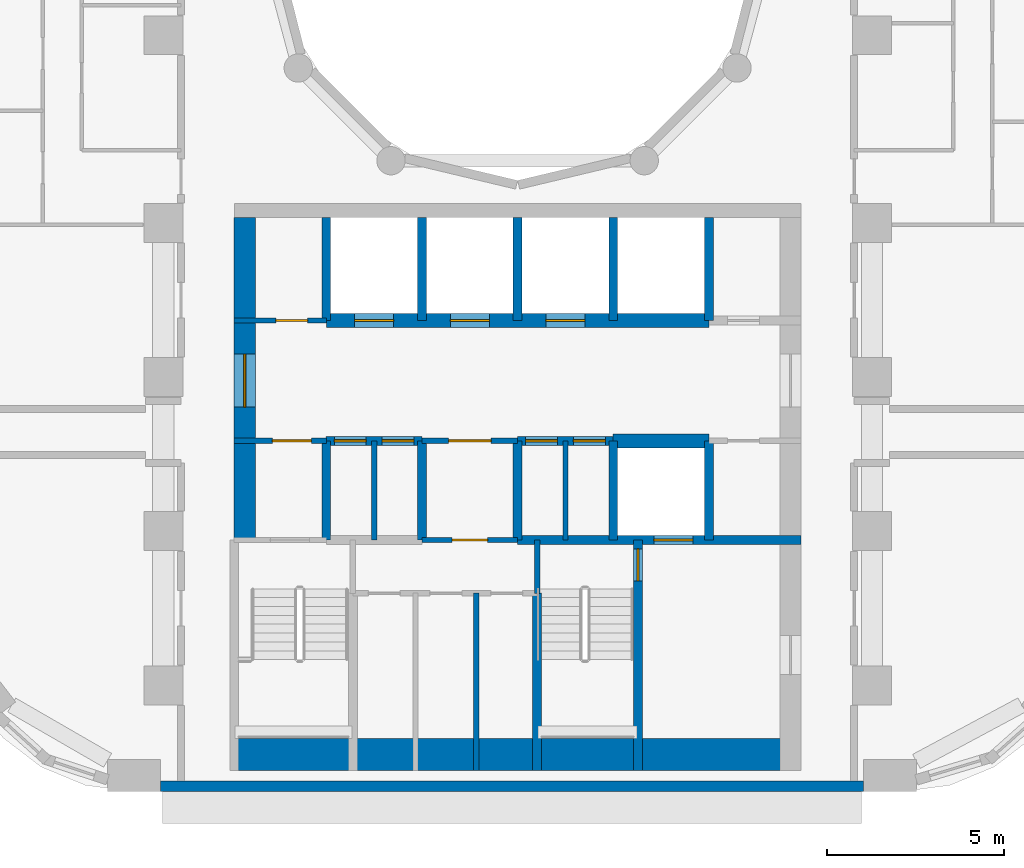
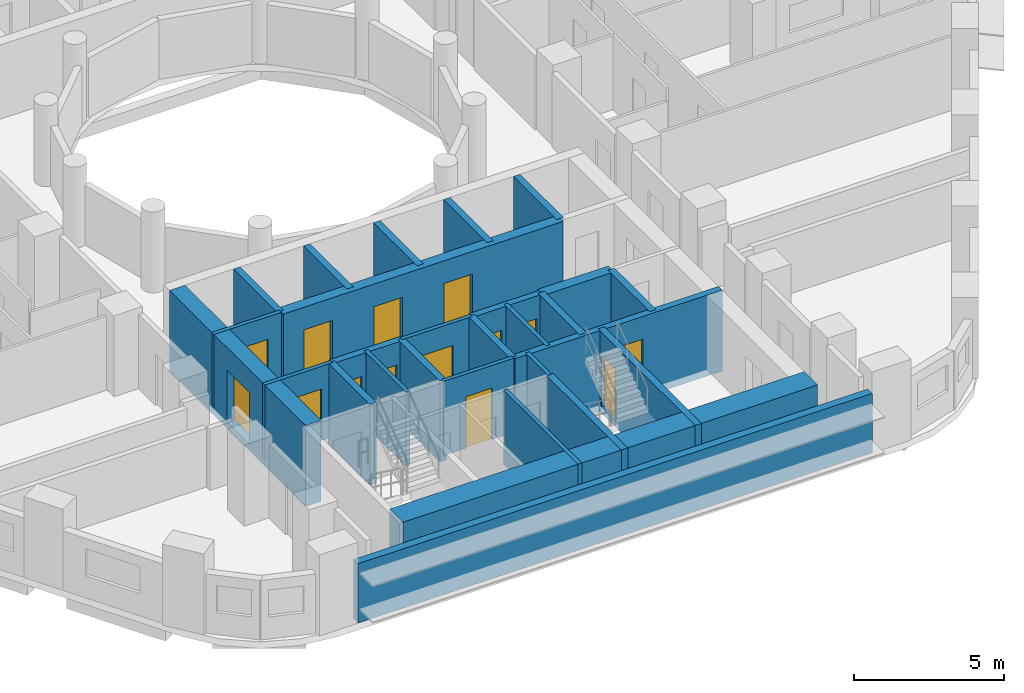
# One storey, part 3 of 13: 28 walls, 14 doors, 14 openings.
"""IFC4 building model written with IfcOpenShell, lengths in metres."""

from ifc_helpers import new_model, si_unit, direction, frame, frame_2d, origin, place, context, subcontext, project, spatial, rectangle, extrude, material, layer, layer_set, type_object, element, fill, save


model = new_model("IFC4")

# Units and contexts
model_context = context("Model", 3, precision=1e-05, world=origin(), true_north=direction((0.0, 1.0)))
body_context = subcontext(model_context, "Body", "Model", "MODEL_VIEW")
ifc_project = project(units=[si_unit("LENGTHUNIT", "METRE"), si_unit("AREAUNIT", "SQUARE_METRE"), si_unit("VOLUMEUNIT", "CUBIC_METRE"), si_unit("PLANEANGLEUNIT", "RADIAN"), si_unit("MASSUNIT", "GRAM", prefix="KILO")], contexts=[model_context])

# Site, building, storey
site_placement = place(None, origin())
site = spatial("IfcSite", under=ifc_project, at=site_placement, CompositionType="ELEMENT")
building_placement = place(site_placement, origin())
building = spatial("IfcBuilding", under=site, at=building_placement, Name="Nakaniwa Court", CompositionType="ELEMENT")
storey_placement = place(building_placement, frame((0.0, 0.0, 41.39990234375)))
storey = spatial("IfcBuildingStorey", under=building, at=storey_placement, Name="L10", CompositionType="ELEMENT", Elevation=41.39990234375)

# Wall
ifc_material_1 = material(Name="Charcoal ceramic cladding")
ifc_layer_1 = layer(ifc_material_1, 0.02, Name="Ceramic cladding")
ifc_material_2 = material(Name="Ventilated air cavity")
ifc_layer_2 = layer(ifc_material_2, 0.04, ventilated=True, Name="Ventilated cavity")
ifc_material_3 = material(Name="Mineral wool insulation")
ifc_layer_3 = layer(ifc_material_3, 0.1, Name="Insulation")
ifc_material_4 = material(Name="Cement bonded sheathing board")
ifc_layer_4 = layer(ifc_material_4, 0.012, Name="Sheathing")
ifc_material_5 = material(Name="Cold-formed galvanised stud frame with mineral wool infill")
ifc_layer_5 = layer(ifc_material_5, 0.1, Name="Stud frame")
ifc_material_6 = material(Name="Fire-rated gypsum plasterboard lining")
ifc_layer_6 = layer(ifc_material_6, 0.028, Name="Lining")
ifc_layer_set_1 = layer_set([ifc_layer_1, ifc_layer_2, ifc_layer_3, ifc_layer_4, ifc_layer_5, ifc_layer_6], Name="Charcoal ceramic faced external wall system")
wall_type_1 = type_object("IfcWallType", Name="Black ceramic faced external wall 300", PredefinedType="SOLIDWALL", material=ifc_layer_set_1)
wall_1_placement = place(storey_placement, frame((69.92138671875, 56.14990234375, 0.0), z_axis=(0.0, 0.0, 1.0), x_axis=(1.0, 0.0, 0.0)))
element("IfcWall", 1, at=wall_1_placement, inside=storey, type_object=wall_type_1, Name="L10 external wall 26", PredefinedType="SOLIDWALL", context=body_context, shape_type="SweptSolid", body=[
    extrude(rectangle(XDim=19.839599609375, YDim=0.300048828125, at=frame_2d((9.919921875, 0.0))), origin(), (0.0, 0.0, 1.0), 2.425048828125),
])

# Wall, opening, door
ifc_material_7 = material(Name="Blockwork partition", Category="masonry")
ifc_layer_7 = layer(ifc_material_7, 0.14990234375)
ifc_layer_set_2 = layer_set([ifc_layer_7], Name="Blockwork partition")
wall_type_2 = type_object("IfcWallType", Name="Blockwork partition 150", PredefinedType="PARTITIONING", material=ifc_layer_set_2)
wall_2_placement = place(storey_placement, frame((72.0, 69.300048828125, 0.0), z_axis=(0.0, 0.0, 1.0), x_axis=(1.0, 0.0, 0.0)))
wall_2 = element("IfcWall", 2, at=wall_2_placement, inside=storey, type_object=wall_type_2, Name="Partition PW-039", PredefinedType="PARTITIONING", context=body_context, shape_type="SweptSolid", body=[
    extrude(rectangle(XDim=2.60009765625, YDim=0.14990234375, at=frame_2d((1.300048828125, 0.0))), origin(), (0.0, 0.0, 1.0), 3.025146484375),
])
opening_1_placement = place(wall_2_placement, frame((1.175048828125, 0.0, 0.0)))
opening_1 = element("IfcOpeningElement", 3, at=opening_1_placement, cuts=wall_2, Name="Opening D-05-11", PredefinedType="OPENING", context=body_context, shape_type="SweptSolid", body=[
    extrude(rectangle(XDim=0.89990234375, YDim=2.10009765625, at=frame_2d((0.449951171875, 1.050048828125))), frame((0.0, 0.0849609375, 0.0), z_axis=(0.0, -1.0, 0.0), x_axis=(1.0, 0.0, 0.0)), (0.0, 0.0, 1.0), 0.169921875),
])
ifc_material_8 = material(Name="Fire rated steel door set", Category="steel")
door_type_1 = type_object("IfcDoorType", Name="Service room door 900", OperationType="NOTDEFINED", PredefinedType="DOOR", material=ifc_material_8)
door_1_placement = place(opening_1_placement, origin())
door_1 = element("IfcDoor", 4, at=door_1_placement, inside=storey, type_object=door_type_1, Name="Door D-05-11 L10-016", OperationType="SINGLE_SWING_LEFT", OverallHeight=2.10009765625, OverallWidth=0.89990234375, PredefinedType="DOOR", context=body_context, shape_type="SweptSolid", body=[
    extrude(rectangle(XDim=0.89990234375, YDim=2.10009765625, at=frame_2d((0.449951171875, 1.050048828125))), frame((0.0, 0.02490234375, 0.0), z_axis=(0.0, -1.0, 0.0), x_axis=(1.0, 0.0, 0.0)), (0.0, 0.0, 1.0), 0.050048828125),
])
fill(opening_1, door_1)

wall_3_placement = place(storey_placement, frame((74.60302734375, 65.89990234375, 0.0), z_axis=(0.0, 0.0, 1.0), x_axis=(-1.0, 0.0, 0.0)))
wall_3 = element("IfcWall", 5, at=wall_3_placement, inside=storey, type_object=wall_type_2, Name="Partition PW-052", PredefinedType="PARTITIONING", context=body_context, shape_type="SweptSolid", body=[
    extrude(rectangle(XDim=2.60302734375, YDim=0.14990234375, at=frame_2d((1.301513671875, 0.0))), origin(), (0.0, 0.0, 1.0), 3.025146484375),
])
opening_2_placement = place(wall_3_placement, frame((0.427978515625, 0.0, 0.0)))
opening_2 = element("IfcOpeningElement", 6, at=opening_2_placement, cuts=wall_3, Name="Opening D-08-02", PredefinedType="OPENING", context=body_context, shape_type="SweptSolid", body=[
    extrude(rectangle(XDim=1.10009765625, YDim=2.10009765625, at=frame_2d((0.550048828125, 1.050048828125))), frame((0.0, 0.0849609375, 0.0), z_axis=(0.0, -1.0, 0.0), x_axis=(1.0, 0.0, 0.0)), (0.0, 0.0, 1.0), 0.169921875),
])
door_type_2 = type_object("IfcDoorType", Name="Stair lobby door 1100", OperationType="NOTDEFINED", PredefinedType="DOOR", material=ifc_material_8)
door_2_placement = place(opening_2_placement, origin())
door_2 = element("IfcDoor", 7, at=door_2_placement, inside=storey, type_object=door_type_2, Name="Door D-08-02 L10-018", OperationType="SINGLE_SWING_LEFT", OverallHeight=2.10009765625, OverallWidth=1.10009765625, PredefinedType="DOOR", context=body_context, shape_type="SweptSolid", body=[
    extrude(rectangle(XDim=1.10009765625, YDim=2.10009765625, at=frame_2d((0.550048828125, 1.050048828125))), frame((0.0, 0.02490234375, 0.0), z_axis=(0.0, -1.0, 0.0), x_axis=(1.0, 0.0, 0.0)), (0.0, 0.0, 1.0), 0.050048828125),
])
fill(opening_2, door_2)

wall_4_placement = place(storey_placement, frame((80.0029296875, 65.89990234375, 0.0), z_axis=(0.0, 0.0, 1.0), x_axis=(-1.0, 0.0, 0.0)))
wall_4 = element("IfcWall", 8, at=wall_4_placement, inside=storey, type_object=wall_type_2, Name="Partition PW-053", PredefinedType="PARTITIONING", context=body_context, shape_type="SweptSolid", body=[
    extrude(rectangle(XDim=2.705810546875, YDim=0.14990234375, at=frame_2d((1.35302734375, 0.0))), origin(), (0.0, 0.0, 1.0), 3.025146484375),
])
opening_3_placement = place(wall_4_placement, frame((0.7529296875, 0.0, 0.0)))
opening_3 = element("IfcOpeningElement", 9, at=opening_3_placement, cuts=wall_4, Name="Opening D-06-02", PredefinedType="OPENING", context=body_context, shape_type="SweptSolid", body=[
    extrude(rectangle(XDim=1.199951171875, YDim=2.10009765625, at=frame_2d((0.60009765625, 1.050048828125))), frame((0.0, 0.0849609375, 0.0), z_axis=(0.0, -1.0, 0.0), x_axis=(1.0, 0.0, 0.0)), (0.0, 0.0, 1.0), 0.169921875),
])
ifc_material_9 = material(Name="Fire rated steel double door set", Category="steel")
door_type_3 = type_object("IfcDoorType", Name="Service passage double door 1200", OperationType="NOTDEFINED", PredefinedType="DOOR", material=ifc_material_9)
door_3_placement = place(opening_3_placement, origin())
door_3 = element("IfcDoor", 10, at=door_3_placement, inside=storey, type_object=door_type_3, Name="Door D-06-02 L10-021", OperationType="DOUBLE_DOOR_SINGLE_SWING", OverallHeight=2.10009765625, OverallWidth=1.199951171875, PredefinedType="DOOR", context=body_context, shape_type="SweptSolid", body=[
    extrude(rectangle(XDim=1.199951171875, YDim=2.10009765625, at=frame_2d((0.60009765625, 1.050048828125))), frame((0.0, 0.02490234375, 0.0), z_axis=(0.0, -1.0, 0.0), x_axis=(1.0, 0.0, 0.0)), (0.0, 0.0, 1.0), 0.050048828125),
])
fill(opening_3, door_3)

# Wall
wall_5_placement = place(storey_placement, frame((75.949951171875, 63.10009765625, 0.0), z_axis=(0.0, 0.0, 1.0), x_axis=(0.0, 1.0, 0.0)))
element("IfcWall", 11, at=wall_5_placement, inside=storey, type_object=wall_type_2, Name="Partition PW-059", PredefinedType="PARTITIONING", context=body_context, shape_type="SweptSolid", body=[
    extrude(rectangle(XDim=2.7998046875, YDim=0.14990234375, at=frame_2d((1.39990234375, 0.0))), origin(), (0.0, 0.0, 1.0), 3.025146484375),
])

# Wall, opening, door
wall_6_placement = place(storey_placement, frame((80.0, 63.10009765625, 0.0), z_axis=(0.0, 0.0, 1.0), x_axis=(-1.0, 0.0, 0.0)))
wall_6 = element("IfcWall", 12, at=wall_6_placement, inside=storey, type_object=wall_type_2, Name="Partition PW-062", PredefinedType="PARTITIONING", context=body_context, shape_type="SweptSolid", body=[
    extrude(rectangle(XDim=2.699951171875, YDim=0.14990234375, at=frame_2d((1.35009765625, 0.0))), origin(), (0.0, 0.0, 1.0), 3.025146484375),
])
opening_4_placement = place(wall_6_placement, frame((0.85009765625, 0.0, 0.0)))
opening_4 = element("IfcOpeningElement", 13, at=opening_4_placement, cuts=wall_6, Name="Opening D-23-02", PredefinedType="OPENING", context=body_context, shape_type="SweptSolid", body=[
    extrude(rectangle(XDim=1.0, YDim=2.10009765625, at=frame_2d((0.5, 1.050048828125))), frame((0.0, 0.0849609375, 0.0), z_axis=(0.0, -1.0, 0.0), x_axis=(1.0, 0.0, 0.0)), (0.0, 0.0, 1.0), 0.169921875),
])
door_type_4 = type_object("IfcDoorType", Name="Service room door 1000", OperationType="NOTDEFINED", PredefinedType="DOOR", material=ifc_material_8)
door_4_placement = place(opening_4_placement, origin())
door_4 = element("IfcDoor", 14, at=door_4_placement, inside=storey, type_object=door_type_4, Name="Door D-23-02 L10-025", OperationType="SINGLE_SWING_RIGHT", OverallHeight=2.10009765625, OverallWidth=1.0, PredefinedType="DOOR", context=body_context, shape_type="SweptSolid", body=[
    extrude(rectangle(XDim=1.0, YDim=2.10009765625, at=frame_2d((0.5, 1.050048828125))), frame((0.0, 0.02490234375, 0.0), z_axis=(0.0, -1.0, 0.0), x_axis=(1.0, 0.0, 0.0)), (0.0, 0.0, 1.0), 0.050048828125),
])
fill(opening_4, door_4)

# Walls
wall_7_placement = place(storey_placement, frame((81.35009765625, 63.10009765625, 0.0), z_axis=(0.0, 0.0, 1.0), x_axis=(0.0, 1.0, 0.0)))
element("IfcWall", 15, at=wall_7_placement, inside=storey, type_object=wall_type_2, Name="Partition PW-063", PredefinedType="PARTITIONING", context=body_context, shape_type="SweptSolid", body=[
    extrude(rectangle(XDim=2.7998046875, YDim=0.14990234375, at=frame_2d((1.39990234375, 0.0))), origin(), (0.0, 0.0, 1.0), 3.025146484375),
])
wall_8_placement = place(storey_placement, frame((78.833984375, 56.60009765625, 0.0), z_axis=(0.0, 0.0, 1.0), x_axis=(0.0, 1.0, 0.0)))
element("IfcWall", 16, at=wall_8_placement, inside=storey, type_object=wall_type_2, Name="Partition PW-072", PredefinedType="PARTITIONING", context=body_context, shape_type="SweptSolid", body=[
    extrude(rectangle(XDim=5.0, YDim=0.14990234375, at=frame_2d((2.5, 0.0))), origin(), (0.0, 0.0, 1.0), 3.025146484375),
])

# Wall, opening, door
ifc_material_10 = material(Name="Concrete C100/115", Category="concrete")
ifc_layer_8 = layer(ifc_material_10, 0.60009765625)
ifc_layer_set_3 = layer_set([ifc_layer_8], Name="Concrete C100/115")
wall_type_3 = type_object("IfcWallType", Name="Concrete core side wall 600 C100", PredefinedType="SHEAR", material=ifc_layer_set_3)
wall_9_placement = place(storey_placement, frame((72.300048828125, 63.10009765625, -0.27490234375), z_axis=(0.0, 0.0, 1.0), x_axis=(0.0, 1.0, 0.0)))
wall_9 = element("IfcWall", 17, at=wall_9_placement, inside=storey, type_object=wall_type_3, Name="Core wall SW-40", PredefinedType="SHEAR", context=body_context, shape_type="SweptSolid", body=[
    extrude(rectangle(XDim=9.099853515625, YDim=0.60009765625, at=frame_2d((4.5498046875, 0.0))), origin(), (0.0, 0.0, 1.0), 3.300048828125),
])
opening_5_placement = place(wall_9_placement, frame((3.75, 0.0, 0.27490234375)))
opening_5 = element("IfcOpeningElement", 18, at=opening_5_placement, cuts=wall_9, Name="Opening D-07-04", PredefinedType="OPENING", context=body_context, shape_type="SweptSolid", body=[
    extrude(rectangle(XDim=1.5, YDim=2.10009765625, at=frame_2d((0.75, 1.050048828125))), frame((0.0, 0.31005859375, 0.0), z_axis=(0.0, -1.0, 0.0), x_axis=(1.0, 0.0, 0.0)), (0.0, 0.0, 1.0), 0.6201171875),
])
ifc_material_11 = material(Name="Glazed fire rated steel double door set", Category="steel")
door_type_5 = type_object("IfcDoorType", Name="Lobby double door 1500", OperationType="NOTDEFINED", PredefinedType="DOOR", material=ifc_material_11)
door_5_placement = place(opening_5_placement, origin())
door_5 = element("IfcDoor", 19, at=door_5_placement, inside=storey, type_object=door_type_5, Name="Door D-07-04 L10-064", OperationType="DOUBLE_DOOR_SINGLE_SWING", OverallHeight=2.10009765625, OverallWidth=1.5, PredefinedType="DOOR", context=body_context, shape_type="SweptSolid", body=[
    extrude(rectangle(XDim=1.5, YDim=2.10009765625, at=frame_2d((0.75, 1.050048828125))), frame((0.0, 0.02490234375, 0.0), z_axis=(0.0, -1.0, 0.0), x_axis=(1.0, 0.0, 0.0)), (0.0, 0.0, 1.0), 0.050048828125),
])
fill(opening_5, door_5)

# Wall, openings, doors
ifc_layer_9 = layer(ifc_material_10, 0.39990234375)
ifc_layer_set_4 = layer_set([ifc_layer_9], Name="Concrete C100/115")
wall_type_4 = type_object("IfcWallType", Name="Concrete core spine wall 400 C100", PredefinedType="SHEAR", material=ifc_layer_set_4)
wall_10_placement = place(storey_placement, frame((74.60009765625, 69.300048828125, -0.27490234375), z_axis=(0.0, 0.0, 1.0), x_axis=(1.0, 0.0, 0.0)))
wall_10 = element("IfcWall", 20, at=wall_10_placement, inside=storey, type_object=wall_type_4, Name="Core wall SW-43", PredefinedType="SHEAR", context=body_context, shape_type="SweptSolid", body=[
    extrude(rectangle(XDim=10.7998046875, YDim=0.39990234375, at=frame_2d((5.39990234375, 0.0))), origin(), (0.0, 0.0, 1.0), 3.300048828125),
])
opening_6_placement = place(wall_10_placement, frame((0.800048828125, 0.0, 0.27490234375)))
opening_6 = element("IfcOpeningElement", 21, at=opening_6_placement, cuts=wall_10, Name="Opening LD05", PredefinedType="OPENING", context=body_context, shape_type="SweptSolid", body=[
    extrude(rectangle(XDim=1.10009765625, YDim=2.10009765625, at=frame_2d((0.550048828125, 1.050048828125))), frame((0.0, 0.2099609375, 0.0), z_axis=(0.0, -1.0, 0.0), x_axis=(1.0, 0.0, 0.0)), (0.0, 0.0, 1.0), 0.419921875),
])
opening_7_placement = place(wall_10_placement, frame((3.5, 0.0, 0.27490234375)))
opening_7 = element("IfcOpeningElement", 22, at=opening_7_placement, cuts=wall_10, Name="Opening LD06", PredefinedType="OPENING", context=body_context, shape_type="SweptSolid", body=[
    extrude(rectangle(XDim=1.10009765625, YDim=2.10009765625, at=frame_2d((0.550048828125, 1.050048828125))), frame((0.0, 0.2099609375, 0.0), z_axis=(0.0, -1.0, 0.0), x_axis=(1.0, 0.0, 0.0)), (0.0, 0.0, 1.0), 0.419921875),
])
opening_8_placement = place(wall_10_placement, frame((6.199951171875, 0.0, 0.27490234375)))
opening_8 = element("IfcOpeningElement", 23, at=opening_8_placement, cuts=wall_10, Name="Opening LD07", PredefinedType="OPENING", context=body_context, shape_type="SweptSolid", body=[
    extrude(rectangle(XDim=1.10009765625, YDim=2.10009765625, at=frame_2d((0.550048828125, 1.050048828125))), frame((0.0, 0.2099609375, 0.0), z_axis=(0.0, -1.0, 0.0), x_axis=(1.0, 0.0, 0.0)), (0.0, 0.0, 1.0), 0.419921875),
])
ifc_material_12 = material(Name="Stainless steel sliding lift landing door", Category="steel")
door_type_6 = type_object("IfcDoorType", Name="Lift landing door 1100", OperationType="NOTDEFINED", PredefinedType="DOOR", material=ifc_material_12)
door_6_placement = place(opening_6_placement, origin())
door_6 = element("IfcDoor", 24, at=door_6_placement, inside=storey, type_object=door_type_6, Name="Lift landing door LD05 L10-005", OperationType="SLIDING_TO_LEFT", OverallHeight=2.10009765625, OverallWidth=1.10009765625, PredefinedType="DOOR", context=body_context, shape_type="SweptSolid", body=[
    extrude(rectangle(XDim=1.10009765625, YDim=2.10009765625, at=frame_2d((0.550048828125, 1.050048828125))), frame((0.0, 0.02490234375, 0.0), z_axis=(0.0, -1.0, 0.0), x_axis=(1.0, 0.0, 0.0)), (0.0, 0.0, 1.0), 0.050048828125),
])
fill(opening_6, door_6)
door_7_placement = place(opening_7_placement, origin())
door_7 = element("IfcDoor", 25, at=door_7_placement, inside=storey, type_object=door_type_6, Name="Lift landing door LD06 L10-006", OperationType="SLIDING_TO_LEFT", OverallHeight=2.10009765625, OverallWidth=1.10009765625, PredefinedType="DOOR", context=body_context, shape_type="SweptSolid", body=[
    extrude(rectangle(XDim=1.10009765625, YDim=2.10009765625, at=frame_2d((0.550048828125, 1.050048828125))), frame((0.0, 0.02490234375, 0.0), z_axis=(0.0, -1.0, 0.0), x_axis=(1.0, 0.0, 0.0)), (0.0, 0.0, 1.0), 0.050048828125),
])
fill(opening_7, door_7)
door_8_placement = place(opening_8_placement, origin())
door_8 = element("IfcDoor", 26, at=door_8_placement, inside=storey, type_object=door_type_6, Name="Lift landing door LD07 L10-007", OperationType="SLIDING_TO_LEFT", OverallHeight=2.10009765625, OverallWidth=1.10009765625, PredefinedType="DOOR", context=body_context, shape_type="SweptSolid", body=[
    extrude(rectangle(XDim=1.10009765625, YDim=2.10009765625, at=frame_2d((0.550048828125, 1.050048828125))), frame((0.0, 0.02490234375, 0.0), z_axis=(0.0, -1.0, 0.0), x_axis=(1.0, 0.0, 0.0)), (0.0, 0.0, 1.0), 0.050048828125),
])
fill(opening_8, door_8)

# Walls
wall_11_placement = place(storey_placement, frame((82.697021484375, 65.89990234375, -0.27490234375), z_axis=(0.0, 0.0, 1.0), x_axis=(1.0, 0.0, 0.0)))
element("IfcWall", 27, at=wall_11_placement, inside=storey, type_object=wall_type_4, Name="Core wall SW-57", PredefinedType="SHEAR", context=body_context, shape_type="SweptSolid", body=[
    extrude(rectangle(XDim=2.7060546875, YDim=0.39990234375, at=frame_2d((1.35302734375, 0.0))), origin(), (0.0, 0.0, 1.0), 3.300048828125),
])
ifc_layer_10 = layer(ifc_material_10, 0.14990234375)
ifc_layer_set_5 = layer_set([ifc_layer_10], Name="Concrete C100/115")
wall_type_5 = type_object("IfcWallType", Name="Concrete core wall 150 C100", PredefinedType="SHEAR", material=ifc_layer_set_5)
wall_12_placement = place(storey_placement, frame((80.550048828125, 61.596923828125, -0.27490234375), z_axis=(0.0, 0.0, 1.0), x_axis=(0.0, 1.0, 0.0)))
element("IfcWall", 28, at=wall_12_placement, inside=storey, type_object=wall_type_5, Name="Core wall SW-68", PredefinedType="SHEAR", context=body_context, shape_type="SweptSolid", body=[
    extrude(rectangle(XDim=1.503173828125, YDim=0.14990234375, at=frame_2d((0.75146484375, 0.0))), origin(), (0.0, 0.0, 1.0), 3.300048828125),
])
ifc_layer_11 = layer(ifc_material_10, 0.89990234375)
ifc_layer_set_6 = layer_set([ifc_layer_11], Name="Concrete C100/115")
wall_type_6 = type_object("IfcWallType", Name="Concrete core wall 900 C100", PredefinedType="SHEAR", material=ifc_layer_set_6)
wall_13_placement = place(storey_placement, frame((72.00390625, 57.050048828125, -0.27490234375), z_axis=(0.0, 0.0, 1.0), x_axis=(1.0, 0.0, 0.0)))
element("IfcWall", 29, at=wall_13_placement, inside=storey, type_object=wall_type_6, Name="Core wall SW-141", PredefinedType="SHEAR", context=body_context, shape_type="SweptSolid", body=[
    extrude(rectangle(XDim=15.9921875, YDim=0.89990234375, at=frame_2d((7.99609375, 0.0))), origin(), (0.0, 0.0, 1.0), 3.300048828125),
])
ifc_layer_12 = layer(ifc_material_10, 0.25)
ifc_layer_set_7 = layer_set([ifc_layer_12], Name="Concrete C100/115")
wall_type_7 = type_object("IfcWallType", Name="Concrete shaft wall 250 C100", PredefinedType="SHEAR", material=ifc_layer_set_7)
wall_14_placement = place(storey_placement, frame((74.60009765625, 63.10009765625, -0.27490234375), z_axis=(0.0, 0.0, 1.0), x_axis=(0.0, 1.0, 0.0)))
element("IfcWall", 30, at=wall_14_placement, inside=storey, type_object=wall_type_7, Name="Core wall SW-37", PredefinedType="SHEAR", context=body_context, shape_type="SweptSolid", body=[
    extrude(rectangle(XDim=2.7998046875, YDim=0.25, at=frame_2d((1.39990234375, 0.0))), origin(), (0.0, 0.0, 1.0), 3.300048828125),
])
wall_15_placement = place(storey_placement, frame((74.60009765625, 69.300048828125, -0.27490234375), z_axis=(0.0, 0.0, 1.0), x_axis=(0.0, 1.0, 0.0)))
element("IfcWall", 31, at=wall_15_placement, inside=storey, type_object=wall_type_7, Name="Core wall SW-38", PredefinedType="SHEAR", context=body_context, shape_type="SweptSolid", body=[
    extrude(rectangle(XDim=2.89990234375, YDim=0.25, at=frame_2d((1.449951171875, 0.0))), origin(), (0.0, 0.0, 1.0), 3.300048828125),
])
wall_16_placement = place(storey_placement, frame((77.300048828125, 63.10009765625, -0.27490234375), z_axis=(0.0, 0.0, 1.0), x_axis=(0.0, 1.0, 0.0)))
element("IfcWall", 32, at=wall_16_placement, inside=storey, type_object=wall_type_7, Name="Core wall SW-41", PredefinedType="SHEAR", context=body_context, shape_type="SweptSolid", body=[
    extrude(rectangle(XDim=2.7998046875, YDim=0.25, at=frame_2d((1.39990234375, 0.0))), origin(), (0.0, 0.0, 1.0), 3.300048828125),
])
wall_17_placement = place(storey_placement, frame((77.300048828125, 69.300048828125, -0.27490234375), z_axis=(0.0, 0.0, 1.0), x_axis=(0.0, 1.0, 0.0)))
element("IfcWall", 33, at=wall_17_placement, inside=storey, type_object=wall_type_7, Name="Core wall SW-42", PredefinedType="SHEAR", context=body_context, shape_type="SweptSolid", body=[
    extrude(rectangle(XDim=2.89990234375, YDim=0.25, at=frame_2d((1.449951171875, 0.0))), origin(), (0.0, 0.0, 1.0), 3.300048828125),
])
wall_18_placement = place(storey_placement, frame((80.0, 63.10009765625, -0.27490234375), z_axis=(0.0, 0.0, 1.0), x_axis=(0.0, 1.0, 0.0)))
element("IfcWall", 34, at=wall_18_placement, inside=storey, type_object=wall_type_7, Name="Core wall SW-44", PredefinedType="SHEAR", context=body_context, shape_type="SweptSolid", body=[
    extrude(rectangle(XDim=2.7998046875, YDim=0.25, at=frame_2d((1.39990234375, 0.0))), origin(), (0.0, 0.0, 1.0), 3.300048828125),
])
wall_19_placement = place(storey_placement, frame((80.0, 69.300048828125, -0.27490234375), z_axis=(0.0, 0.0, 1.0), x_axis=(0.0, 1.0, 0.0)))
element("IfcWall", 35, at=wall_19_placement, inside=storey, type_object=wall_type_7, Name="Core wall SW-45", PredefinedType="SHEAR", context=body_context, shape_type="SweptSolid", body=[
    extrude(rectangle(XDim=2.89990234375, YDim=0.25, at=frame_2d((1.449951171875, 0.0))), origin(), (0.0, 0.0, 1.0), 3.300048828125),
])
wall_20_placement = place(storey_placement, frame((82.699951171875, 63.10009765625, -0.27490234375), z_axis=(0.0, 0.0, 1.0), x_axis=(0.0, 1.0, 0.0)))
element("IfcWall", 36, at=wall_20_placement, inside=storey, type_object=wall_type_7, Name="Core wall SW-46", PredefinedType="SHEAR", context=body_context, shape_type="SweptSolid", body=[
    extrude(rectangle(XDim=2.7998046875, YDim=0.25, at=frame_2d((1.39990234375, 0.0))), origin(), (0.0, 0.0, 1.0), 3.300048828125),
])
wall_21_placement = place(storey_placement, frame((82.699951171875, 69.300048828125, -0.27490234375), z_axis=(0.0, 0.0, 1.0), x_axis=(0.0, 1.0, 0.0)))
element("IfcWall", 37, at=wall_21_placement, inside=storey, type_object=wall_type_7, Name="Core wall SW-47", PredefinedType="SHEAR", context=body_context, shape_type="SweptSolid", body=[
    extrude(rectangle(XDim=2.89990234375, YDim=0.25, at=frame_2d((1.449951171875, 0.0))), origin(), (0.0, 0.0, 1.0), 3.300048828125),
])
wall_22_placement = place(storey_placement, frame((85.39990234375, 63.10009765625, -0.27490234375), z_axis=(0.0, 0.0, 1.0), x_axis=(0.0, 1.0, 0.0)))
element("IfcWall", 38, at=wall_22_placement, inside=storey, type_object=wall_type_7, Name="Core wall SW-48", PredefinedType="SHEAR", context=body_context, shape_type="SweptSolid", body=[
    extrude(rectangle(XDim=2.7998046875, YDim=0.25, at=frame_2d((1.39990234375, 0.0))), origin(), (0.0, 0.0, 1.0), 3.300048828125),
])
wall_23_placement = place(storey_placement, frame((85.39990234375, 69.300048828125, -0.27490234375), z_axis=(0.0, 0.0, 1.0), x_axis=(0.0, 1.0, 0.0)))
element("IfcWall", 39, at=wall_23_placement, inside=storey, type_object=wall_type_7, Name="Core wall SW-49", PredefinedType="SHEAR", context=body_context, shape_type="SweptSolid", body=[
    extrude(rectangle(XDim=2.89990234375, YDim=0.25, at=frame_2d((1.449951171875, 0.0))), origin(), (0.0, 0.0, 1.0), 3.300048828125),
])

# Wall, openings, doors
wall_24_placement = place(storey_placement, frame((77.302978515625, 65.89990234375, -0.27490234375), z_axis=(0.0, 0.0, 1.0), x_axis=(-1.0, 0.0, 0.0)))
wall_24 = element("IfcWall", 40, at=wall_24_placement, inside=storey, type_object=wall_type_7, Name="Core wall SW-55", PredefinedType="SHEAR", context=body_context, shape_type="SweptSolid", body=[
    extrude(rectangle(XDim=2.7060546875, YDim=0.25, at=frame_2d((1.35302734375, 0.0))), origin(), (0.0, 0.0, 1.0), 3.300048828125),
])
opening_9_placement = place(wall_24_placement, frame((1.577880859375, 0.0, 0.27490234375)))
opening_9 = element("IfcOpeningElement", 41, at=opening_9_placement, cuts=wall_24, Name="Opening D-05-13", PredefinedType="OPENING", context=body_context, shape_type="SweptSolid", body=[
    extrude(rectangle(XDim=0.89990234375, YDim=2.10009765625, at=frame_2d((0.449951171875, 1.050048828125))), frame((0.0, 0.135009765625, 0.0), z_axis=(0.0, -1.0, 0.0), x_axis=(1.0, 0.0, 0.0)), (0.0, 0.0, 1.0), 0.27001953125),
])
opening_10_placement = place(wall_24_placement, frame((0.22802734375, 0.0, 0.27490234375)))
opening_10 = element("IfcOpeningElement", 42, at=opening_10_placement, cuts=wall_24, Name="Opening D-05-14", PredefinedType="OPENING", context=body_context, shape_type="SweptSolid", body=[
    extrude(rectangle(XDim=0.89990234375, YDim=2.10009765625, at=frame_2d((0.449951171875, 1.050048828125))), frame((0.0, 0.135009765625, 0.0), z_axis=(0.0, -1.0, 0.0), x_axis=(1.0, 0.0, 0.0)), (0.0, 0.0, 1.0), 0.27001953125),
])
door_9_placement = place(opening_9_placement, origin())
door_9 = element("IfcDoor", 43, at=door_9_placement, inside=storey, type_object=door_type_1, Name="Door D-05-13 L10-019", OperationType="SINGLE_SWING_RIGHT", OverallHeight=2.10009765625, OverallWidth=0.89990234375, PredefinedType="DOOR", context=body_context, shape_type="SweptSolid", body=[
    extrude(rectangle(XDim=0.89990234375, YDim=2.10009765625, at=frame_2d((0.449951171875, 1.050048828125))), frame((0.0, 0.02490234375, 0.0), z_axis=(0.0, -1.0, 0.0), x_axis=(1.0, 0.0, 0.0)), (0.0, 0.0, 1.0), 0.050048828125),
])
fill(opening_9, door_9)
door_10_placement = place(opening_10_placement, origin())
door_10 = element("IfcDoor", 44, at=door_10_placement, inside=storey, type_object=door_type_1, Name="Door D-05-14 L10-020", OperationType="SINGLE_SWING_LEFT", OverallHeight=2.10009765625, OverallWidth=0.89990234375, PredefinedType="DOOR", context=body_context, shape_type="SweptSolid", body=[
    extrude(rectangle(XDim=0.89990234375, YDim=2.10009765625, at=frame_2d((0.449951171875, 1.050048828125))), frame((0.0, 0.02490234375, 0.0), z_axis=(0.0, -1.0, 0.0), x_axis=(1.0, 0.0, 0.0)), (0.0, 0.0, 1.0), 0.050048828125),
])
fill(opening_10, door_10)

wall_25_placement = place(storey_placement, frame((82.702880859375, 65.89990234375, -0.27490234375), z_axis=(0.0, 0.0, 1.0), x_axis=(-1.0, 0.0, 0.0)))
wall_25 = element("IfcWall", 45, at=wall_25_placement, inside=storey, type_object=wall_type_7, Name="Core wall SW-56", PredefinedType="SHEAR", context=body_context, shape_type="SweptSolid", body=[
    extrude(rectangle(XDim=2.705810546875, YDim=0.25, at=frame_2d((1.35302734375, 0.0))), origin(), (0.0, 0.0, 1.0), 3.300048828125),
])
opening_11_placement = place(wall_25_placement, frame((1.577880859375, 0.0, 0.27490234375)))
opening_11 = element("IfcOpeningElement", 46, at=opening_11_placement, cuts=wall_25, Name="Opening D-05-15", PredefinedType="OPENING", context=body_context, shape_type="SweptSolid", body=[
    extrude(rectangle(XDim=0.89990234375, YDim=2.10009765625, at=frame_2d((0.449951171875, 1.050048828125))), frame((0.0, 0.135009765625, 0.0), z_axis=(0.0, -1.0, 0.0), x_axis=(1.0, 0.0, 0.0)), (0.0, 0.0, 1.0), 0.27001953125),
])
opening_12_placement = place(wall_25_placement, frame((0.22802734375, 0.0, 0.27490234375)))
opening_12 = element("IfcOpeningElement", 47, at=opening_12_placement, cuts=wall_25, Name="Opening D-05-16", PredefinedType="OPENING", context=body_context, shape_type="SweptSolid", body=[
    extrude(rectangle(XDim=0.89990234375, YDim=2.10009765625, at=frame_2d((0.449951171875, 1.050048828125))), frame((0.0, 0.135009765625, 0.0), z_axis=(0.0, -1.0, 0.0), x_axis=(1.0, 0.0, 0.0)), (0.0, 0.0, 1.0), 0.27001953125),
])
door_11_placement = place(opening_11_placement, origin())
door_11 = element("IfcDoor", 48, at=door_11_placement, inside=storey, type_object=door_type_1, Name="Door D-05-15 L10-022", OperationType="SINGLE_SWING_LEFT", OverallHeight=2.10009765625, OverallWidth=0.89990234375, PredefinedType="DOOR", context=body_context, shape_type="SweptSolid", body=[
    extrude(rectangle(XDim=0.89990234375, YDim=2.10009765625, at=frame_2d((0.449951171875, 1.050048828125))), frame((0.0, 0.02490234375, 0.0), z_axis=(0.0, -1.0, 0.0), x_axis=(1.0, 0.0, 0.0)), (0.0, 0.0, 1.0), 0.050048828125),
])
fill(opening_11, door_11)
door_12_placement = place(opening_12_placement, origin())
door_12 = element("IfcDoor", 49, at=door_12_placement, inside=storey, type_object=door_type_1, Name="Door D-05-16 L10-023", OperationType="SINGLE_SWING_RIGHT", OverallHeight=2.10009765625, OverallWidth=0.89990234375, PredefinedType="DOOR", context=body_context, shape_type="SweptSolid", body=[
    extrude(rectangle(XDim=0.89990234375, YDim=2.10009765625, at=frame_2d((0.449951171875, 1.050048828125))), frame((0.0, 0.02490234375, 0.0), z_axis=(0.0, -1.0, 0.0), x_axis=(1.0, 0.0, 0.0)), (0.0, 0.0, 1.0), 0.050048828125),
])
fill(opening_12, door_12)

# Wall, opening, door
wall_26_placement = place(storey_placement, frame((80.0, 63.10009765625, -0.27490234375), z_axis=(0.0, 0.0, 1.0), x_axis=(1.0, 0.0, 0.0)))
wall_26 = element("IfcWall", 50, at=wall_26_placement, inside=storey, type_object=wall_type_7, Name="Core wall SW-61", PredefinedType="SHEAR", context=body_context, shape_type="SweptSolid", body=[
    extrude(rectangle(XDim=8.0, YDim=0.25, at=frame_2d((4.0, 0.0))), origin(), (0.0, 0.0, 1.0), 3.300048828125),
])
opening_13_placement = place(wall_26_placement, frame((3.84912109375, 0.0, 0.27490234375)))
opening_13 = element("IfcOpeningElement", 51, at=opening_13_placement, cuts=wall_26, Name="Opening LD08", PredefinedType="OPENING", context=body_context, shape_type="SweptSolid", body=[
    extrude(rectangle(XDim=1.10009765625, YDim=2.10009765625, at=frame_2d((0.550048828125, 1.050048828125))), frame((0.0, 0.135009765625, 0.0), z_axis=(0.0, -1.0, 0.0), x_axis=(1.0, 0.0, 0.0)), (0.0, 0.0, 1.0), 0.27001953125),
])
door_13_placement = place(opening_13_placement, origin())
door_13 = element("IfcDoor", 52, at=door_13_placement, inside=storey, type_object=door_type_6, Name="Lift landing door LD08 L10-008", OperationType="SLIDING_TO_LEFT", OverallHeight=2.10009765625, OverallWidth=1.10009765625, PredefinedType="DOOR", context=body_context, shape_type="SweptSolid", body=[
    extrude(rectangle(XDim=1.10009765625, YDim=2.10009765625, at=frame_2d((0.550048828125, 1.050048828125))), frame((0.0, 0.02490234375, 0.0), z_axis=(0.0, -1.0, 0.0), x_axis=(1.0, 0.0, 0.0)), (0.0, 0.0, 1.0), 0.050048828125),
])
fill(opening_13, door_13)

wall_27_placement = place(storey_placement, frame((83.39990234375, 63.10009765625, -0.27490234375), z_axis=(0.0, 0.0, 1.0), x_axis=(0.0, -1.0, 0.0)))
wall_27 = element("IfcWall", 53, at=wall_27_placement, inside=storey, type_object=wall_type_7, Name="Core wall SW-67", PredefinedType="SHEAR", context=body_context, shape_type="SweptSolid", body=[
    extrude(rectangle(XDim=6.5, YDim=0.25, at=frame_2d((3.25, 0.0))), origin(), (0.0, 0.0, 1.0), 3.300048828125),
])
opening_14_placement = place(wall_27_placement, frame((0.25, 0.0, 0.27490234375)))
opening_14 = element("IfcOpeningElement", 54, at=opening_14_placement, cuts=wall_27, Name="Opening D-11-02", PredefinedType="OPENING", context=body_context, shape_type="SweptSolid", body=[
    extrude(rectangle(XDim=0.89990234375, YDim=2.10009765625, at=frame_2d((0.449951171875, 1.050048828125))), frame((0.0, 0.135009765625, 0.0), z_axis=(0.0, -1.0, 0.0), x_axis=(1.0, 0.0, 0.0)), (0.0, 0.0, 1.0), 0.27001953125),
])
door_type_7 = type_object("IfcDoorType", Name="Stair door 900", OperationType="NOTDEFINED", PredefinedType="DOOR", material=ifc_material_8)
door_14_placement = place(opening_14_placement, origin())
door_14 = element("IfcDoor", 55, at=door_14_placement, inside=storey, type_object=door_type_7, Name="Door D-11-02 L10-030", OperationType="SINGLE_SWING_RIGHT", OverallHeight=2.10009765625, OverallWidth=0.89990234375, PredefinedType="DOOR", context=body_context, shape_type="SweptSolid", body=[
    extrude(rectangle(XDim=0.89990234375, YDim=2.10009765625, at=frame_2d((0.449951171875, 1.050048828125))), frame((0.0, 0.02490234375, 0.0), z_axis=(0.0, -1.0, 0.0), x_axis=(1.0, 0.0, 0.0)), (0.0, 0.0, 1.0), 0.050048828125),
])
fill(opening_14, door_14)

# Wall
wall_28_placement = place(storey_placement, frame((80.550048828125, 56.60009765625, -0.27490234375), z_axis=(0.0, 0.0, 1.0), x_axis=(0.0, 1.0, 0.0)))
element("IfcWall", 56, at=wall_28_placement, inside=storey, type_object=wall_type_7, Name="Core wall SW-69", PredefinedType="SHEAR", context=body_context, shape_type="SweptSolid", body=[
    extrude(rectangle(XDim=5.0029296875, YDim=0.25, at=frame_2d((2.50146484375, 0.0))), origin(), (0.0, 0.0, 1.0), 3.300048828125),
])

save(model, "model.ifc")
